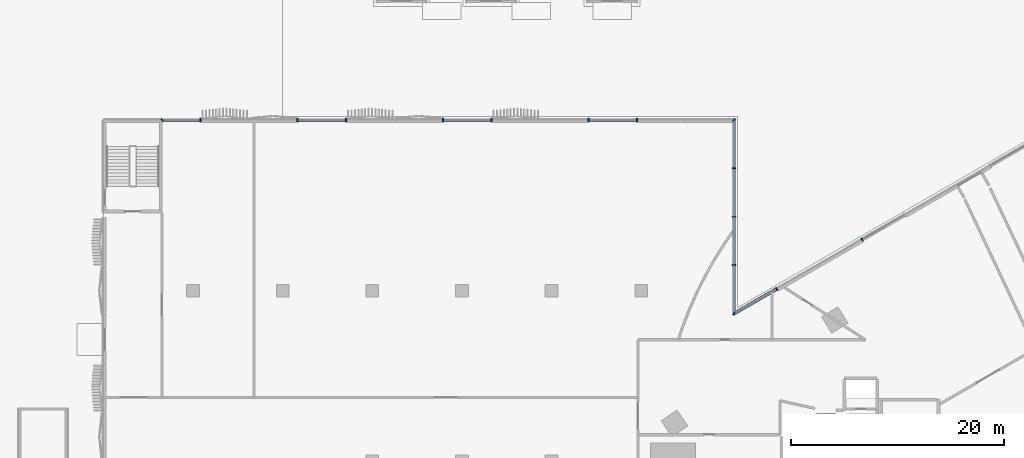
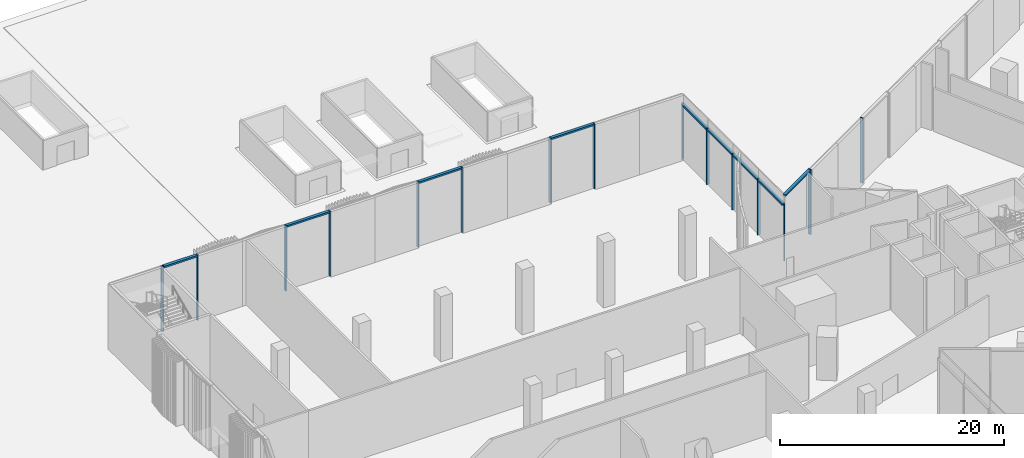
# One storey, part 4 of 41: 22 members, 2 elements without a shape of their own.
"""IFC4 building model written with IfcOpenShell, lengths in metres."""

from ifc_helpers import new_model, si_unit, direction, frame, origin, origin_2d, place, context, subcontext, project, spatial, rectangle, extrude, material, material_profile, profile_set, type_object, element, aggregate, save


model = new_model("IFC4")

# Units and contexts
model_context = context("Model", 3, precision=1e-05, world=origin(), true_north=direction((0.0, 1.0)))
body_context = subcontext(model_context, "Body", "Model", "MODEL_VIEW")
ifc_project = project(units=[si_unit("LENGTHUNIT", "METRE"), si_unit("AREAUNIT", "SQUARE_METRE"), si_unit("VOLUMEUNIT", "CUBIC_METRE"), si_unit("PLANEANGLEUNIT", "RADIAN"), si_unit("MASSUNIT", "GRAM", prefix="KILO")], contexts=[model_context])

# Site, building, storey
site_placement = place(None, origin())
site = spatial("IfcSite", under=ifc_project, at=site_placement, CompositionType="ELEMENT")
building_placement = place(site_placement, origin())
building = spatial("IfcBuilding", under=site, at=building_placement, Name="Tamra Quay Hotel Tower", CompositionType="ELEMENT")
storey_placement = place(building_placement, origin())
storey = spatial("IfcBuildingStorey", under=building, at=storey_placement, Name="L00", CompositionType="ELEMENT", Elevation=0.0)

# Curtain wall, members
ifc_material = material(Name="Aluminium 6063 anodised dark grey", Category="aluminium")
curtain_wall_type = type_object("IfcCurtainWallType", Name="CW4 CURTAIN WALL", PredefinedType="NOTDEFINED", material=ifc_material)
curtain_wall_1_placement = place(storey_placement, origin())
curtain_wall_1 = element("IfcCurtainWall", 1, at=curtain_wall_1_placement, inside=storey, type_object=curtain_wall_type, Name="CW4 east face L00", PredefinedType="NOTDEFINED")
ifc_material_profile_1 = material_profile(ifc_material, rectangle(XDim=0.300048828125, YDim=0.1201171875, at=origin_2d()), Name="MULLION 120X300")
ifc_profile_set_1 = profile_set([ifc_material_profile_1], Name="Aluminium 6063 anodised dark grey")
member_type_1 = type_object("IfcMemberType", Name="MULLION CW4", PredefinedType="MULLION", material=ifc_profile_set_1)
member_1_placement = place(storey_placement, frame((-30.0, 13.8564453125, 0.0), z_axis=(0.0, 0.0, 1.0), x_axis=(0.500164184883, 0.865930590845, 0.0)))
member_1 = element("IfcMember", 2, at=member_1_placement, type_object=member_type_1, Name="CW4 mullion L00.E.14", PredefinedType="MULLION", context=body_context, shape_type="SweptSolid", body=[
    extrude(rectangle(XDim=0.300048828125, YDim=0.1201171875, at=origin_2d()), origin(), (0.0, 0.0, 1.0), 6.10009765625),
])
member_2_placement = place(storey_placement, frame((-30.0, 18.392333984375, 0.0), z_axis=(0.0, 0.0, 1.0), x_axis=(1.0, 0.0, 0.0)))
member_2 = element("IfcMember", 3, at=member_2_placement, type_object=member_type_1, Name="CW4 mullion L00.E.15", PredefinedType="MULLION", context=body_context, shape_type="SweptSolid", body=[
    extrude(rectangle(XDim=0.300048828125, YDim=0.1201171875, at=origin_2d()), origin(), (0.0, 0.0, 1.0), 6.10009765625),
])
member_3_placement = place(storey_placement, frame((-30.0, 22.92822265625, 0.0), z_axis=(0.0, 0.0, 1.0), x_axis=(1.0, 0.0, 0.0)))
member_3 = element("IfcMember", 4, at=member_3_placement, type_object=member_type_1, Name="CW4 mullion L00.E.16", PredefinedType="MULLION", context=body_context, shape_type="SweptSolid", body=[
    extrude(rectangle(XDim=0.300048828125, YDim=0.1201171875, at=origin_2d()), origin(), (0.0, 0.0, 1.0), 6.10009765625),
])
member_4_placement = place(storey_placement, frame((-30.0, 27.464111328125, 0.0), z_axis=(0.0, 0.0, 1.0), x_axis=(1.0, 0.0, 0.0)))
member_4 = element("IfcMember", 5, at=member_4_placement, type_object=member_type_1, Name="CW4 mullion L00.E.17", PredefinedType="MULLION", context=body_context, shape_type="SweptSolid", body=[
    extrude(rectangle(XDim=0.300048828125, YDim=0.1201171875, at=origin_2d()), origin(), (0.0, 0.0, 1.0), 6.10009765625),
])
member_5_placement = place(storey_placement, frame((-30.0, 32.0, 0.0), z_axis=(0.0, 0.0, 1.0), x_axis=(0.707106781187, 0.707106781187, 0.0)))
member_5 = element("IfcMember", 6, at=member_5_placement, type_object=member_type_1, Name="CW4 mullion L00.E.18", PredefinedType="MULLION", context=body_context, shape_type="SweptSolid", body=[
    extrude(rectangle(XDim=0.300048828125, YDim=0.1201171875, at=origin_2d()), origin(), (0.0, 0.0, 1.0), 6.10009765625),
])

curtain_wall_2_placement = place(storey_placement, origin())
curtain_wall_2 = element("IfcCurtainWall", 7, at=curtain_wall_2_placement, inside=storey, type_object=curtain_wall_type, Name="CW4 north-west face L00", PredefinedType="NOTDEFINED")
member_6_placement = place(storey_placement, frame((-17.99462890625, 20.781494140625, 0.0), z_axis=(0.0, 0.0, 1.0), x_axis=(-0.499671576337, 0.866214936261, 0.0)))
member_6 = element("IfcMember", 8, at=member_6_placement, type_object=member_type_1, Name="CW4 mullion L00.NW.4", PredefinedType="MULLION", context=body_context, shape_type="SweptSolid", body=[
    extrude(rectangle(XDim=0.300048828125, YDim=0.1201171875, at=origin_2d()), origin(), (0.0, 0.0, 1.0), 7.10009765625),
])
member_7_placement = place(storey_placement, frame((-25.998291015625, 16.164794921875, 0.0), z_axis=(0.0, 0.0, 1.0), x_axis=(-0.499671576337, 0.866214936261, 0.0)))
member_7 = element("IfcMember", 9, at=member_7_placement, type_object=member_type_1, Name="CW4 mullion L00.NW.4", PredefinedType="MULLION", context=body_context, shape_type="SweptSolid", body=[
    extrude(rectangle(XDim=0.300048828125, YDim=0.1201171875, at=origin_2d()), origin(), (0.0, 0.0, 1.0), 7.10009765625),
])
member_8_placement = place(storey_placement, frame((-39.09228515625, 32.0, 0.0), z_axis=(0.0, 0.0, 1.0), x_axis=(0.0, 1.0, 0.0)))
member_8 = element("IfcMember", 10, at=member_8_placement, type_object=member_type_1, Name="CW4 mullion L00.NW.5", PredefinedType="MULLION", context=body_context, shape_type="SweptSolid", body=[
    extrude(rectangle(XDim=0.300048828125, YDim=0.1201171875, at=origin_2d()), origin(), (0.0, 0.0, 1.0), 7.10009765625),
])
member_9_placement = place(storey_placement, frame((-43.638427734375, 32.0, 0.0), z_axis=(0.0, 0.0, 1.0), x_axis=(0.0, 1.0, 0.0)))
member_9 = element("IfcMember", 11, at=member_9_placement, type_object=member_type_1, Name="CW4 mullion L00.NW.6", PredefinedType="MULLION", context=body_context, shape_type="SweptSolid", body=[
    extrude(rectangle(XDim=0.300048828125, YDim=0.1201171875, at=origin_2d()), origin(), (0.0, 0.0, 1.0), 7.10009765625),
])
member_10_placement = place(storey_placement, frame((-52.730712890625, 32.0, 0.0), z_axis=(0.0, 0.0, 1.0), x_axis=(0.0, 1.0, 0.0)))
member_10 = element("IfcMember", 12, at=member_10_placement, type_object=member_type_1, Name="CW4 mullion L00.NW.6", PredefinedType="MULLION", context=body_context, shape_type="SweptSolid", body=[
    extrude(rectangle(XDim=0.300048828125, YDim=0.1201171875, at=origin_2d()), origin(), (0.0, 0.0, 1.0), 7.10009765625),
])
member_11_placement = place(storey_placement, frame((-57.27685546875, 32.0, 0.0), z_axis=(0.0, 0.0, 1.0), x_axis=(0.0, 1.0, 0.0)))
member_11 = element("IfcMember", 13, at=member_11_placement, type_object=member_type_1, Name="CW4 mullion L00.NW.7", PredefinedType="MULLION", context=body_context, shape_type="SweptSolid", body=[
    extrude(rectangle(XDim=0.300048828125, YDim=0.1201171875, at=origin_2d()), origin(), (0.0, 0.0, 1.0), 7.10009765625),
])
member_12_placement = place(storey_placement, frame((-66.369140625, 32.0, 0.0), z_axis=(0.0, 0.0, 1.0), x_axis=(0.0, 1.0, 0.0)))
member_12 = element("IfcMember", 14, at=member_12_placement, type_object=member_type_1, Name="CW4 mullion L00.NW.7", PredefinedType="MULLION", context=body_context, shape_type="SweptSolid", body=[
    extrude(rectangle(XDim=0.300048828125, YDim=0.1201171875, at=origin_2d()), origin(), (0.0, 0.0, 1.0), 7.10009765625),
])
member_13_placement = place(storey_placement, frame((-70.915283203125, 32.0, 0.0), z_axis=(0.0, 0.0, 1.0), x_axis=(0.0, 1.0, 0.0)))
member_13 = element("IfcMember", 15, at=member_13_placement, type_object=member_type_1, Name="CW4 mullion L00.NW.8", PredefinedType="MULLION", context=body_context, shape_type="SweptSolid", body=[
    extrude(rectangle(XDim=0.300048828125, YDim=0.1201171875, at=origin_2d()), origin(), (0.0, 0.0, 1.0), 7.10009765625),
])
member_14_placement = place(storey_placement, frame((-80.0078125, 32.0, 0.0), z_axis=(0.0, 0.0, 1.0), x_axis=(0.0, 1.0, 0.0)))
member_14 = element("IfcMember", 16, at=member_14_placement, type_object=member_type_1, Name="CW4 mullion L00.NW.8", PredefinedType="MULLION", context=body_context, shape_type="SweptSolid", body=[
    extrude(rectangle(XDim=0.300048828125, YDim=0.1201171875, at=origin_2d()), origin(), (0.0, 0.0, 1.0), 7.10009765625),
])
member_15_placement = place(storey_placement, frame((-83.60009765625, 32.0, 0.0), z_axis=(0.0, 0.0, 1.0), x_axis=(-0.707106781187, 0.707106781187, 0.0)))
member_15 = element("IfcMember", 17, at=member_15_placement, type_object=member_type_1, Name="CW4 mullion L00.NW.9", PredefinedType="MULLION", context=body_context, shape_type="SweptSolid", body=[
    extrude(rectangle(XDim=0.300048828125, YDim=0.1201171875, at=origin_2d()), origin(), (0.0, 0.0, 1.0), 7.10009765625),
])

# Member
ifc_material_profile_2 = material_profile(ifc_material, rectangle(XDim=0.300048828125, YDim=0.179931640625, at=origin_2d()), Name="TRANSOM 300X180")
ifc_profile_set_2 = profile_set([ifc_material_profile_2], Name="Aluminium 6063 anodised dark grey")
member_type_2 = type_object("IfcMemberType", Name="TRANSOM CW4", PredefinedType="USERDEFINED", material=ifc_profile_set_2)
member_16_placement = place(storey_placement, frame((-30.0, 13.91650390625, 6.010009765625), z_axis=(0.0, 1.0, 0.0), x_axis=(-1.0, 0.0, 0.0)))
member_16 = element("IfcMember", 18, at=member_16_placement, type_object=member_type_2, Name="CW4 transom L00.E.14", ObjectType="TRANSOM", PredefinedType="USERDEFINED", context=body_context, shape_type="SweptSolid", body=[
    extrude(rectangle(XDim=0.300048828125, YDim=0.179931640625, at=origin_2d()), origin(), (0.0, 0.0, 1.0), 13.487548828125),
])

member_17_placement = place(storey_placement, frame((-30.0, 27.524169921875, 6.010009765625), z_axis=(0.0, 1.0, 0.0), x_axis=(-1.0, 0.0, 0.0)))
member_17 = element("IfcMember", 19, at=member_17_placement, type_object=member_type_2, Name="CW4 transom L00.E.17", ObjectType="TRANSOM", PredefinedType="USERDEFINED", context=body_context, shape_type="SweptSolid", body=[
    extrude(rectangle(XDim=0.300048828125, YDim=0.179931640625, at=origin_2d()), origin(), (0.0, 0.0, 1.0), 4.415771484375),
])

aggregate(curtain_wall_1, [member_1, member_16, member_2, member_3, member_4, member_17, member_5])

member_18_placement = place(storey_placement, frame((-26.05029296875, 16.134765625, 7.010009765625), z_axis=(-0.866222618548, -0.499658258328, 0.0), x_axis=(0.499658258328, -0.866222618548, 0.0)))
member_18 = element("IfcMember", 20, at=member_18_placement, type_object=member_type_2, Name="CW4 transom L00.NW.4", ObjectType="TRANSOM", PredefinedType="USERDEFINED", context=body_context, shape_type="SweptSolid", body=[
    extrude(rectangle(XDim=0.300048828125, YDim=0.179931640625, at=origin_2d()), origin(), (0.0, 0.0, 1.0), 4.499755859375),
])

member_19_placement = place(storey_placement, frame((-39.15234375, 32.0, 7.010009765625), z_axis=(-1.0, 0.0, 0.0), x_axis=(0.0, -1.0, 0.0)))
member_19 = element("IfcMember", 21, at=member_19_placement, type_object=member_type_2, Name="CW4 transom L00.NW.5", ObjectType="TRANSOM", PredefinedType="USERDEFINED", context=body_context, shape_type="SweptSolid", body=[
    extrude(rectangle(XDim=0.300048828125, YDim=0.179931640625, at=origin_2d()), origin(), (0.0, 0.0, 1.0), 4.426025390625),
])

member_20_placement = place(storey_placement, frame((-52.790771484375, 32.0, 7.010009765625), z_axis=(-1.0, 0.0, 0.0), x_axis=(0.0, -1.0, 0.0)))
member_20 = element("IfcMember", 22, at=member_20_placement, type_object=member_type_2, Name="CW4 transom L00.NW.6", ObjectType="TRANSOM", PredefinedType="USERDEFINED", context=body_context, shape_type="SweptSolid", body=[
    extrude(rectangle(XDim=0.300048828125, YDim=0.179931640625, at=origin_2d()), origin(), (0.0, 0.0, 1.0), 4.42626953125),
])

member_21_placement = place(storey_placement, frame((-66.42919921875, 32.0, 7.010009765625), z_axis=(-1.0, 0.0, 0.0), x_axis=(0.0, -1.0, 0.0)))
member_21 = element("IfcMember", 23, at=member_21_placement, type_object=member_type_2, Name="CW4 transom L00.NW.7", ObjectType="TRANSOM", PredefinedType="USERDEFINED", context=body_context, shape_type="SweptSolid", body=[
    extrude(rectangle(XDim=0.300048828125, YDim=0.179931640625, at=origin_2d()), origin(), (0.0, 0.0, 1.0), 4.42626953125),
])

member_22_placement = place(storey_placement, frame((-80.067626953125, 32.0, 7.010009765625), z_axis=(-1.0, 0.0, 0.0), x_axis=(0.0, -1.0, 0.0)))
member_22 = element("IfcMember", 24, at=member_22_placement, type_object=member_type_2, Name="CW4 transom L00.NW.8", ObjectType="TRANSOM", PredefinedType="USERDEFINED", context=body_context, shape_type="SweptSolid", body=[
    extrude(rectangle(XDim=0.300048828125, YDim=0.179931640625, at=origin_2d()), origin(), (0.0, 0.0, 1.0), 3.472412109375),
])

aggregate(curtain_wall_2, [member_6, member_7, member_18, member_8, member_19, member_9, member_10, member_20, member_11, member_12, member_21, member_13, member_14, member_22, member_15])

save(model, "model.ifc")
